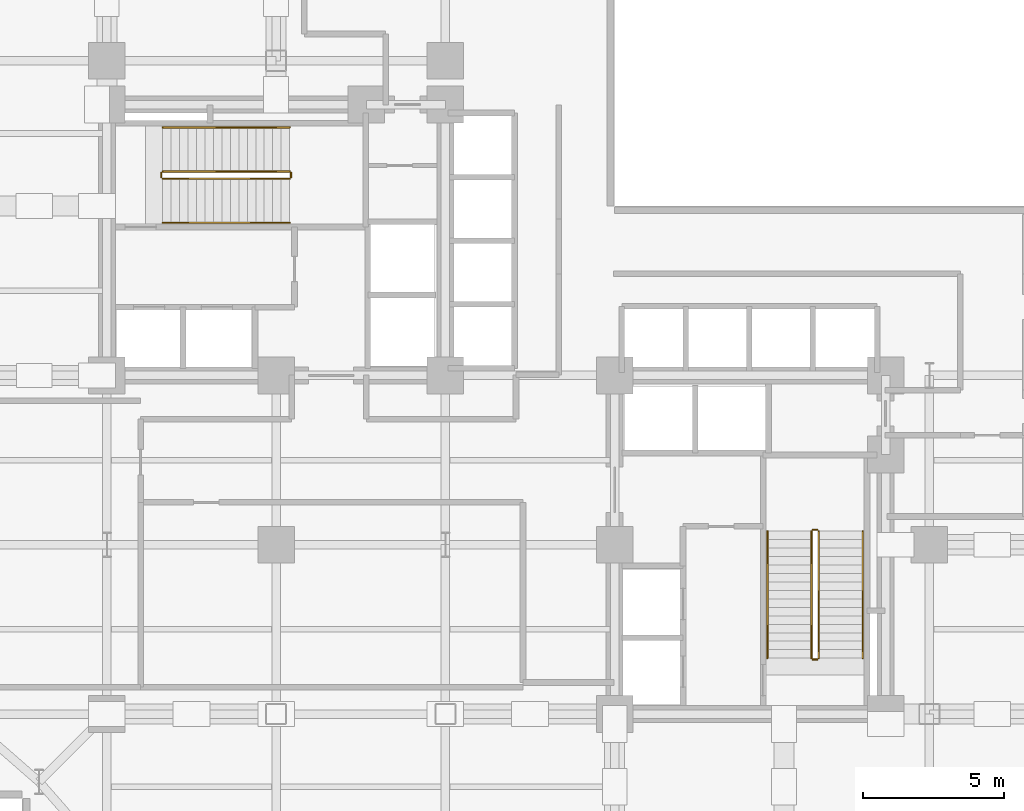
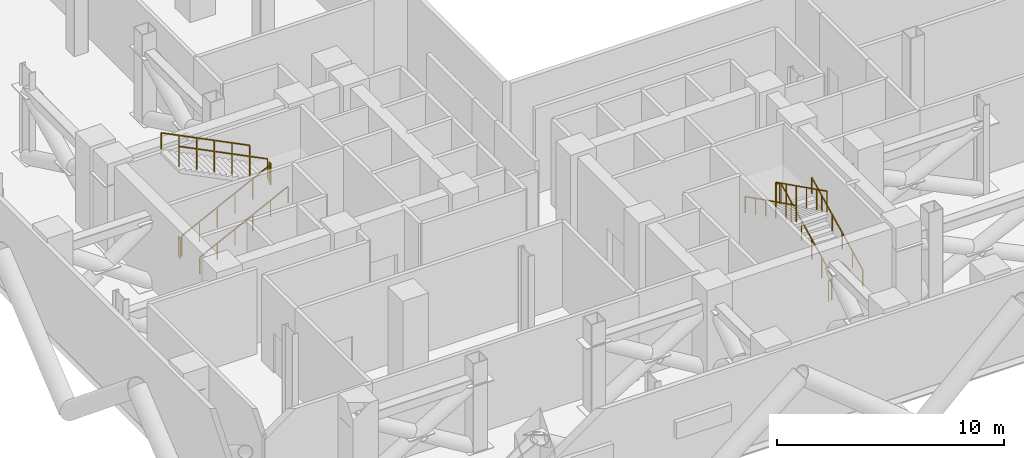
# One storey, part 10 of 10: 12 railings.
"""IFC4 building model written with IfcOpenShell, lengths in metres."""

from ifc_helpers import new_model, si_unit, direction, frame, origin, origin_2d, place, context, subcontext, project, spatial, rectangle, extrude, material, type_object, element, save


model = new_model("IFC4")

# Units and contexts
model_context = context("Model", 3, precision=1e-05, world=origin(), true_north=direction((0.0, 1.0)))
body_context = subcontext(model_context, "Body", "Model", "MODEL_VIEW")
ifc_project = project(units=[si_unit("LENGTHUNIT", "METRE"), si_unit("AREAUNIT", "SQUARE_METRE"), si_unit("VOLUMEUNIT", "CUBIC_METRE"), si_unit("PLANEANGLEUNIT", "RADIAN"), si_unit("MASSUNIT", "GRAM", prefix="KILO"), si_unit("THERMODYNAMICTEMPERATUREUNIT", "KELVIN"), si_unit("POWERUNIT", "WATT")], contexts=[model_context])

# Site, building, storey
site_placement = place(None, origin())
site = spatial("IfcSite", under=ifc_project, at=site_placement, CompositionType="ELEMENT")
building_placement = place(site_placement, origin())
building = spatial("IfcBuilding", under=site, at=building_placement, Name="Svarakhadi Broadcast Tower", CompositionType="ELEMENT")
storey_placement = place(building_placement, frame((0.0, 0.0, 94.800048828125)))
storey = spatial("IfcBuildingStorey", under=building, at=storey_placement, Name="L22", CompositionType="ELEMENT", Elevation=94.800048828125)

# Railings
ifc_material = material(Name="Anodised Bronze Aluminium AA 6063-T6", Category="aluminium")
railing_type_1 = type_object("IfcRailingType", Name="Guard_Stair_GR01", PredefinedType="GUARDRAIL", material=ifc_material)
railing_1_placement = place(storey_placement, frame((7.97998046875, 24.969970703125, 0.14990234375)))
element("IfcRailing", 1, at=railing_1_placement, inside=storey, type_object=railing_type_1, Name="L22 ST-01 stair guard 1", PredefinedType="GUARDRAIL", context=body_context, shape_type="SweptSolid", body=[
    extrude(rectangle(XDim=0.048095703125, YDim=0.048095703125, at=origin_2d()), frame((0.0, 0.0, 1.09619140625), z_axis=(0.894427191, 0.0, 0.4472135955), x_axis=(0.0, 1.0, 0.0)), (0.0, 0.0, 1.0), 5.03125),
    extrude(rectangle(XDim=0.0419921875, YDim=0.0419921875, at=origin_2d()), origin(), (0.0, 0.0, 1.0), 1.072021484375),
    extrude(rectangle(XDim=0.0419921875, YDim=0.0419921875, at=origin_2d()), frame((0.89990234375, 0.0, 0.449951171875)), (0.0, 0.0, 1.0), 1.072021484375),
    extrude(rectangle(XDim=0.0419921875, YDim=0.0419921875, at=origin_2d()), frame((1.800048828125, 0.0, 0.89990234375)), (0.0, 0.0, 1.0), 1.072021484375),
    extrude(rectangle(XDim=0.0419921875, YDim=0.0419921875, at=origin_2d()), frame((2.699951171875, 0.0, 1.35009765625)), (0.0, 0.0, 1.0), 1.072021484375),
    extrude(rectangle(XDim=0.0419921875, YDim=0.0419921875, at=origin_2d()), frame((3.60009765625, 0.0, 1.800048828125)), (0.0, 0.0, 1.0), 1.072021484375),
    extrude(rectangle(XDim=0.0419921875, YDim=0.0419921875, at=origin_2d()), frame((4.5, 0.0, 2.25)), (0.0, 0.0, 1.0), 1.072021484375),
])
railing_2_placement = place(storey_placement, frame((12.530029296875, 25.02001953125, 2.39990234375)))
element("IfcRailing", 2, at=railing_2_placement, inside=storey, type_object=railing_type_1, Name="L22 ST-01 stair guard 2", PredefinedType="GUARDRAIL", context=body_context, shape_type="SweptSolid", body=[
    extrude(rectangle(XDim=0.048095703125, YDim=0.048095703125, at=origin_2d()), frame((0.0, 0.0, 1.09619140625), z_axis=(0.0, 1.0, 0.0), x_axis=(-1.0, 0.0, 0.0)), (0.0, 0.0, 1.0), 0.159912109375),
    extrude(rectangle(XDim=0.0419921875, YDim=0.0419921875, at=origin_2d()), origin(), (0.0, 0.0, 1.0), 1.072021484375),
    extrude(rectangle(XDim=0.0419921875, YDim=0.0419921875, at=origin_2d()), frame((0.0, 0.159912109375, 0.0)), (0.0, 0.0, 1.0), 1.072021484375),
])
railing_3_placement = place(storey_placement, frame((12.47998046875, 25.22998046875, 2.550048828125)))
element("IfcRailing", 3, at=railing_3_placement, inside=storey, type_object=railing_type_1, Name="L22 ST-01 stair guard 3", PredefinedType="GUARDRAIL", context=body_context, shape_type="SweptSolid", body=[
    extrude(rectangle(XDim=0.048095703125, YDim=0.048095703125, at=origin_2d()), frame((0.0, 0.0, 1.09619140625), z_axis=(-0.894427191, 0.0, 0.4472135955), x_axis=(0.0, -1.0, 0.0)), (0.0, 0.0, 1.0), 5.03125),
    extrude(rectangle(XDim=0.0419921875, YDim=0.0419921875, at=origin_2d()), origin(), (0.0, 0.0, 1.0), 1.072021484375),
    extrude(rectangle(XDim=0.0419921875, YDim=0.0419921875, at=origin_2d()), frame((-0.89990234375, 0.0, 0.449951171875)), (0.0, 0.0, 1.0), 1.072021484375),
    extrude(rectangle(XDim=0.0419921875, YDim=0.0419921875, at=origin_2d()), frame((-1.800048828125, 0.0, 0.89990234375)), (0.0, 0.0, 1.0), 1.072021484375),
    extrude(rectangle(XDim=0.0419921875, YDim=0.0419921875, at=origin_2d()), frame((-2.699951171875, 0.0, 1.35009765625)), (0.0, 0.0, 1.0), 1.072021484375),
    extrude(rectangle(XDim=0.0419921875, YDim=0.0419921875, at=origin_2d()), frame((-3.60009765625, 0.0, 1.800048828125)), (0.0, 0.0, 1.0), 1.072021484375),
    extrude(rectangle(XDim=0.0419921875, YDim=0.0419921875, at=origin_2d()), frame((-4.5, 0.0, 2.25)), (0.0, 0.0, 1.0), 1.072021484375),
])
railing_4_placement = place(storey_placement, frame((7.929931640625, 25.02001953125, 0.0)))
element("IfcRailing", 4, at=railing_4_placement, inside=storey, type_object=railing_type_1, Name="L22 ST-01 stair guard 4", PredefinedType="GUARDRAIL", context=body_context, shape_type="SweptSolid", body=[
    extrude(rectangle(XDim=0.048095703125, YDim=0.048095703125, at=origin_2d()), frame((0.0, 0.0, 1.09619140625), z_axis=(0.0, 1.0, 0.0), x_axis=(-1.0, 0.0, 0.0)), (0.0, 0.0, 1.0), 0.159912109375),
    extrude(rectangle(XDim=0.0419921875, YDim=0.0419921875, at=origin_2d()), origin(), (0.0, 0.0, 1.0), 1.072021484375),
    extrude(rectangle(XDim=0.0419921875, YDim=0.0419921875, at=origin_2d()), frame((0.0, 0.159912109375, 0.0)), (0.0, 0.0, 1.0), 1.072021484375),
])
railing_5_placement = place(storey_placement, frame((31.22998046875, 7.97998046875, 0.14990234375)))
element("IfcRailing", 5, at=railing_5_placement, inside=storey, type_object=railing_type_1, Name="L22 ST-02 stair guard 1", PredefinedType="GUARDRAIL", context=body_context, shape_type="SweptSolid", body=[
    extrude(rectangle(XDim=0.048095703125, YDim=0.048095703125, at=origin_2d()), frame((0.0, 0.0, 1.09619140625), z_axis=(0.0, 0.894427191, 0.4472135955), x_axis=(-1.0, 0.0, 0.0)), (0.0, 0.0, 1.0), 5.03125),
    extrude(rectangle(XDim=0.0419921875, YDim=0.0419921875, at=origin_2d()), origin(), (0.0, 0.0, 1.0), 1.072021484375),
    extrude(rectangle(XDim=0.0419921875, YDim=0.0419921875, at=origin_2d()), frame((0.0, 0.89990234375, 0.449951171875)), (0.0, 0.0, 1.0), 1.072021484375),
    extrude(rectangle(XDim=0.0419921875, YDim=0.0419921875, at=origin_2d()), frame((0.0, 1.800048828125, 0.89990234375)), (0.0, 0.0, 1.0), 1.072021484375),
    extrude(rectangle(XDim=0.0419921875, YDim=0.0419921875, at=origin_2d()), frame((0.0, 2.699951171875, 1.35009765625)), (0.0, 0.0, 1.0), 1.072021484375),
    extrude(rectangle(XDim=0.0419921875, YDim=0.0419921875, at=origin_2d()), frame((0.0, 3.60009765625, 1.800048828125)), (0.0, 0.0, 1.0), 1.072021484375),
    extrude(rectangle(XDim=0.0419921875, YDim=0.0419921875, at=origin_2d()), frame((0.0, 4.5, 2.25)), (0.0, 0.0, 1.0), 1.072021484375),
])
railing_6_placement = place(storey_placement, frame((31.179931640625, 12.530029296875, 2.39990234375)))
element("IfcRailing", 6, at=railing_6_placement, inside=storey, type_object=railing_type_1, Name="L22 ST-02 stair guard 2", PredefinedType="GUARDRAIL", context=body_context, shape_type="SweptSolid", body=[
    extrude(rectangle(XDim=0.048095703125, YDim=0.048095703125, at=origin_2d()), frame((0.0, 0.0, 1.09619140625), z_axis=(-1.0, 0.0, 0.0), x_axis=(0.0, -1.0, 0.0)), (0.0, 0.0, 1.0), 0.159912109375),
    extrude(rectangle(XDim=0.0419921875, YDim=0.0419921875, at=origin_2d()), origin(), (0.0, 0.0, 1.0), 1.072021484375),
    extrude(rectangle(XDim=0.0419921875, YDim=0.0419921875, at=origin_2d()), frame((-0.159912109375, 0.0, 0.0)), (0.0, 0.0, 1.0), 1.072021484375),
])
railing_7_placement = place(storey_placement, frame((30.969970703125, 12.47998046875, 2.550048828125)))
element("IfcRailing", 7, at=railing_7_placement, inside=storey, type_object=railing_type_1, Name="L22 ST-02 stair guard 3", PredefinedType="GUARDRAIL", context=body_context, shape_type="SweptSolid", body=[
    extrude(rectangle(XDim=0.048095703125, YDim=0.048095703125, at=origin_2d()), frame((0.0, 0.0, 1.09619140625), z_axis=(0.0, -0.894427191, 0.4472135955), x_axis=(1.0, 0.0, 0.0)), (0.0, 0.0, 1.0), 5.03125),
    extrude(rectangle(XDim=0.0419921875, YDim=0.0419921875, at=origin_2d()), origin(), (0.0, 0.0, 1.0), 1.072021484375),
    extrude(rectangle(XDim=0.0419921875, YDim=0.0419921875, at=origin_2d()), frame((0.0, -0.89990234375, 0.449951171875)), (0.0, 0.0, 1.0), 1.072021484375),
    extrude(rectangle(XDim=0.0419921875, YDim=0.0419921875, at=origin_2d()), frame((0.0, -1.800048828125, 0.89990234375)), (0.0, 0.0, 1.0), 1.072021484375),
    extrude(rectangle(XDim=0.0419921875, YDim=0.0419921875, at=origin_2d()), frame((0.0, -2.699951171875, 1.35009765625)), (0.0, 0.0, 1.0), 1.072021484375),
    extrude(rectangle(XDim=0.0419921875, YDim=0.0419921875, at=origin_2d()), frame((0.0, -3.60009765625, 1.800048828125)), (0.0, 0.0, 1.0), 1.072021484375),
    extrude(rectangle(XDim=0.0419921875, YDim=0.0419921875, at=origin_2d()), frame((0.0, -4.5, 2.25)), (0.0, 0.0, 1.0), 1.072021484375),
])
railing_8_placement = place(storey_placement, frame((31.179931640625, 7.929931640625, 0.0)))
element("IfcRailing", 8, at=railing_8_placement, inside=storey, type_object=railing_type_1, Name="L22 ST-02 stair guard 4", PredefinedType="GUARDRAIL", context=body_context, shape_type="SweptSolid", body=[
    extrude(rectangle(XDim=0.048095703125, YDim=0.048095703125, at=origin_2d()), frame((0.0, 0.0, 1.09619140625), z_axis=(-1.0, 0.0, 0.0), x_axis=(0.0, -1.0, 0.0)), (0.0, 0.0, 1.0), 0.159912109375),
    extrude(rectangle(XDim=0.0419921875, YDim=0.0419921875, at=origin_2d()), origin(), (0.0, 0.0, 1.0), 1.072021484375),
    extrude(rectangle(XDim=0.0419921875, YDim=0.0419921875, at=origin_2d()), frame((-0.159912109375, 0.0, 0.0)), (0.0, 0.0, 1.0), 1.072021484375),
])
railing_type_2 = type_object("IfcRailingType", Name="Handrail_Stair_HR01", PredefinedType="HANDRAIL", material=ifc_material)
railing_9_placement = place(storey_placement, frame((7.97998046875, 23.409912109375, 0.14990234375)))
element("IfcRailing", 9, at=railing_9_placement, inside=storey, type_object=railing_type_2, Name="L22 ST-01 stair handrail 1", PredefinedType="HANDRAIL", context=body_context, shape_type="SweptSolid", body=[
    extrude(rectangle(XDim=0.048095703125, YDim=0.048095703125, at=origin_2d()), frame((0.0, 0.0, 0.8759765625), z_axis=(0.894427191, 0.0, 0.4472135955), x_axis=(0.0, 1.0, 0.0)), (0.0, 0.0, 1.0), 5.03125),
    extrude(rectangle(XDim=0.0419921875, YDim=0.0419921875, at=origin_2d()), origin(), (0.0, 0.0, 1.0), 0.851806640625),
    extrude(rectangle(XDim=0.0419921875, YDim=0.0419921875, at=origin_2d()), frame((0.89990234375, 0.0, 0.449951171875)), (0.0, 0.0, 1.0), 0.851806640625),
    extrude(rectangle(XDim=0.0419921875, YDim=0.0419921875, at=origin_2d()), frame((1.800048828125, 0.0, 0.89990234375)), (0.0, 0.0, 1.0), 0.851806640625),
    extrude(rectangle(XDim=0.0419921875, YDim=0.0419921875, at=origin_2d()), frame((2.699951171875, 0.0, 1.35009765625)), (0.0, 0.0, 1.0), 0.851806640625),
    extrude(rectangle(XDim=0.0419921875, YDim=0.0419921875, at=origin_2d()), frame((3.60009765625, 0.0, 1.800048828125)), (0.0, 0.0, 1.0), 0.851806640625),
    extrude(rectangle(XDim=0.0419921875, YDim=0.0419921875, at=origin_2d()), frame((4.5, 0.0, 2.25)), (0.0, 0.0, 1.0), 0.851806640625),
])
railing_10_placement = place(storey_placement, frame((12.47998046875, 26.7900390625, 2.550048828125)))
element("IfcRailing", 10, at=railing_10_placement, inside=storey, type_object=railing_type_2, Name="L22 ST-01 stair handrail 2", PredefinedType="HANDRAIL", context=body_context, shape_type="SweptSolid", body=[
    extrude(rectangle(XDim=0.048095703125, YDim=0.048095703125, at=origin_2d()), frame((0.0, 0.0, 0.8759765625), z_axis=(-0.894427191, 0.0, 0.4472135955), x_axis=(0.0, -1.0, 0.0)), (0.0, 0.0, 1.0), 5.03125),
    extrude(rectangle(XDim=0.0419921875, YDim=0.0419921875, at=origin_2d()), origin(), (0.0, 0.0, 1.0), 0.851806640625),
    extrude(rectangle(XDim=0.0419921875, YDim=0.0419921875, at=origin_2d()), frame((-0.89990234375, 0.0, 0.449951171875)), (0.0, 0.0, 1.0), 0.851806640625),
    extrude(rectangle(XDim=0.0419921875, YDim=0.0419921875, at=origin_2d()), frame((-1.800048828125, 0.0, 0.89990234375)), (0.0, 0.0, 1.0), 0.851806640625),
    extrude(rectangle(XDim=0.0419921875, YDim=0.0419921875, at=origin_2d()), frame((-2.699951171875, 0.0, 1.35009765625)), (0.0, 0.0, 1.0), 0.851806640625),
    extrude(rectangle(XDim=0.0419921875, YDim=0.0419921875, at=origin_2d()), frame((-3.60009765625, 0.0, 1.800048828125)), (0.0, 0.0, 1.0), 0.851806640625),
    extrude(rectangle(XDim=0.0419921875, YDim=0.0419921875, at=origin_2d()), frame((-4.5, 0.0, 2.25)), (0.0, 0.0, 1.0), 0.851806640625),
])
railing_11_placement = place(storey_placement, frame((32.7900390625, 7.97998046875, 0.14990234375)))
element("IfcRailing", 11, at=railing_11_placement, inside=storey, type_object=railing_type_2, Name="L22 ST-02 stair handrail 1", PredefinedType="HANDRAIL", context=body_context, shape_type="SweptSolid", body=[
    extrude(rectangle(XDim=0.048095703125, YDim=0.048095703125, at=origin_2d()), frame((0.0, 0.0, 0.8759765625), z_axis=(0.0, 0.894427191, 0.4472135955), x_axis=(-1.0, 0.0, 0.0)), (0.0, 0.0, 1.0), 5.03125),
    extrude(rectangle(XDim=0.0419921875, YDim=0.0419921875, at=origin_2d()), origin(), (0.0, 0.0, 1.0), 0.851806640625),
    extrude(rectangle(XDim=0.0419921875, YDim=0.0419921875, at=origin_2d()), frame((0.0, 0.89990234375, 0.449951171875)), (0.0, 0.0, 1.0), 0.851806640625),
    extrude(rectangle(XDim=0.0419921875, YDim=0.0419921875, at=origin_2d()), frame((0.0, 1.800048828125, 0.89990234375)), (0.0, 0.0, 1.0), 0.851806640625),
    extrude(rectangle(XDim=0.0419921875, YDim=0.0419921875, at=origin_2d()), frame((0.0, 2.699951171875, 1.35009765625)), (0.0, 0.0, 1.0), 0.851806640625),
    extrude(rectangle(XDim=0.0419921875, YDim=0.0419921875, at=origin_2d()), frame((0.0, 3.60009765625, 1.800048828125)), (0.0, 0.0, 1.0), 0.851806640625),
    extrude(rectangle(XDim=0.0419921875, YDim=0.0419921875, at=origin_2d()), frame((0.0, 4.5, 2.25)), (0.0, 0.0, 1.0), 0.851806640625),
])
railing_12_placement = place(storey_placement, frame((29.409912109375, 12.47998046875, 2.550048828125)))
element("IfcRailing", 12, at=railing_12_placement, inside=storey, type_object=railing_type_2, Name="L22 ST-02 stair handrail 2", PredefinedType="HANDRAIL", context=body_context, shape_type="SweptSolid", body=[
    extrude(rectangle(XDim=0.048095703125, YDim=0.048095703125, at=origin_2d()), frame((0.0, 0.0, 0.8759765625), z_axis=(0.0, -0.894427191, 0.4472135955), x_axis=(1.0, 0.0, 0.0)), (0.0, 0.0, 1.0), 5.03125),
    extrude(rectangle(XDim=0.0419921875, YDim=0.0419921875, at=origin_2d()), origin(), (0.0, 0.0, 1.0), 0.851806640625),
    extrude(rectangle(XDim=0.0419921875, YDim=0.0419921875, at=origin_2d()), frame((0.0, -0.89990234375, 0.449951171875)), (0.0, 0.0, 1.0), 0.851806640625),
    extrude(rectangle(XDim=0.0419921875, YDim=0.0419921875, at=origin_2d()), frame((0.0, -1.800048828125, 0.89990234375)), (0.0, 0.0, 1.0), 0.851806640625),
    extrude(rectangle(XDim=0.0419921875, YDim=0.0419921875, at=origin_2d()), frame((0.0, -2.699951171875, 1.35009765625)), (0.0, 0.0, 1.0), 0.851806640625),
    extrude(rectangle(XDim=0.0419921875, YDim=0.0419921875, at=origin_2d()), frame((0.0, -3.60009765625, 1.800048828125)), (0.0, 0.0, 1.0), 0.851806640625),
    extrude(rectangle(XDim=0.0419921875, YDim=0.0419921875, at=origin_2d()), frame((0.0, -4.5, 2.25)), (0.0, 0.0, 1.0), 0.851806640625),
])

save(model, "model.ifc")
